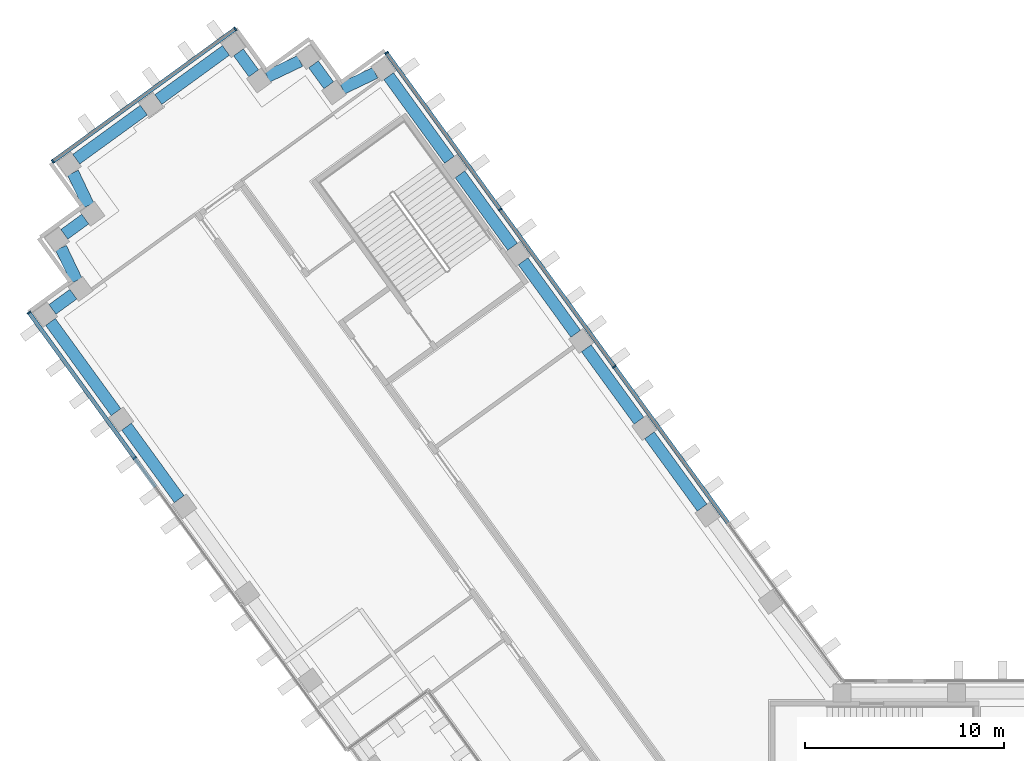
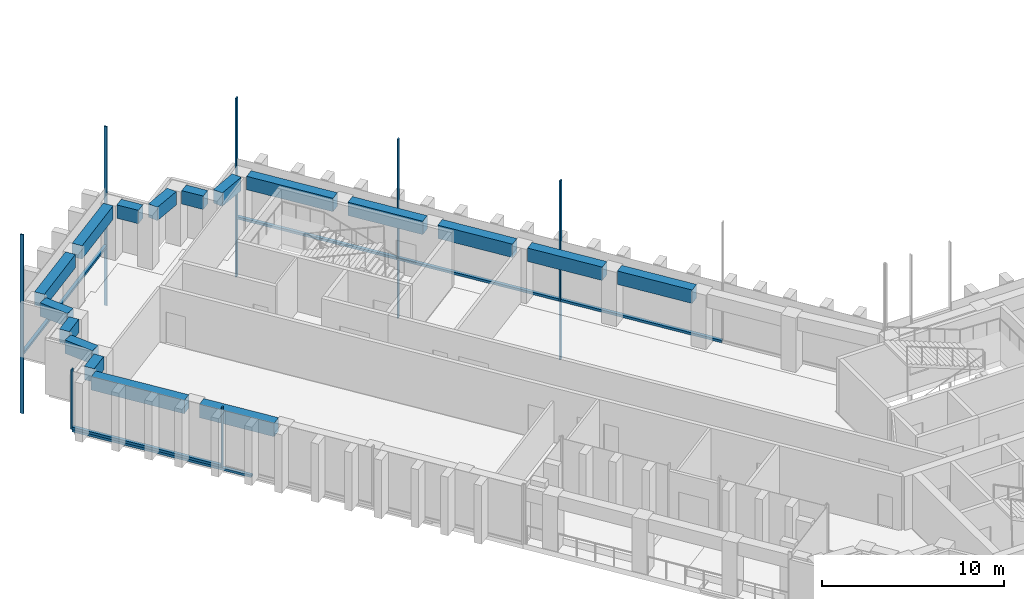
"""IFC4 building model written with IfcOpenShell, lengths in metres."""

from ifc_helpers import new_model, si_unit, direction, frame, origin, origin_2d, place, context, subcontext, project, spatial, rectangle, extrude, material, material_profile, profile_set, type_object, element, aggregate, save


model = new_model("IFC4")

# Units and contexts
model_context = context("Model", 3, precision=1e-05, world=origin(), true_north=direction((0.0, 1.0)))
body_context = subcontext(model_context, "Body", "Model", "MODEL_VIEW")
ifc_project = project(units=[si_unit("LENGTHUNIT", "METRE"), si_unit("AREAUNIT", "SQUARE_METRE"), si_unit("VOLUMEUNIT", "CUBIC_METRE"), si_unit("PLANEANGLEUNIT", "RADIAN"), si_unit("MASSUNIT", "GRAM", prefix="KILO")], contexts=[model_context])

# Site, building, storey
site_placement = place(None, origin())
site = spatial("IfcSite", under=ifc_project, at=site_placement, CompositionType="ELEMENT")
building_placement = place(site_placement, origin())
building = spatial("IfcBuilding", under=site, at=building_placement, Name="Quipu Civic Tower", CompositionType="ELEMENT")
storey_1_placement = place(building_placement, frame((0.0, 0.0, 59.0)))
storey_1 = spatial("IfcBuildingStorey", under=building, at=storey_1_placement, Name="L13", CompositionType="ELEMENT", Elevation=59.0)

# Curtain wall, members
ifc_material_1 = material(Name="Insulated glass unit", Category="glass")
curtain_wall_type = type_object("IfcCurtainWallType", Name="Office curtain wall CW1", PredefinedType="NOTDEFINED", material=ifc_material_1)
curtain_wall_1_placement = place(storey_1_placement, origin())
curtain_wall_1 = element("IfcCurtainWall", 1, at=curtain_wall_1_placement, inside=storey_1, type_object=curtain_wall_type, Name="Office curtain wall CW1 L13 run 1", PredefinedType="NOTDEFINED")
ifc_material_2 = material(Name="Anodised aluminium", Category="aluminium")
ifc_material_profile_1 = material_profile(ifc_material_2, rectangle(XDim=0.199951171875, YDim=0.080078125, at=origin_2d()), Name="RECT 200x80")
ifc_profile_set_1 = profile_set([ifc_material_profile_1], Name="Anodised aluminium")
member_type_1 = type_object("IfcMemberType", Name="Mullion CW1", PredefinedType="MULLION", material=ifc_profile_set_1)
member_1_placement = place(storey_1_placement, frame((-55.23046875, 29.606201171875, 0.080078125), z_axis=(0.0, 0.0, 1.0), x_axis=(0.809015484525, 0.587787330417, 0.0)))
member_1 = element("IfcMember", 2, at=member_1_placement, type_object=member_type_1, Name="CW1 mullion 1", PredefinedType="MULLION", context=body_context, shape_type="SweptSolid", body=[
    extrude(rectangle(XDim=0.199951171875, YDim=0.080078125, at=origin_2d()), origin(), (0.0, 0.0, 1.0), 4.0),
])
member_2_placement = place(storey_1_placement, frame((-49.9248046875, 22.303466796875, 0.080078125), z_axis=(0.0, 0.0, 1.0), x_axis=(0.809015484525, 0.587787330417, 0.0)))
member_2 = element("IfcMember", 3, at=member_2_placement, type_object=member_type_1, Name="CW1 mullion 2", PredefinedType="MULLION", context=body_context, shape_type="SweptSolid", body=[
    extrude(rectangle(XDim=0.199951171875, YDim=0.080078125, at=origin_2d()), origin(), (0.0, 0.0, 1.0), 4.0),
])

curtain_wall_2_placement = place(storey_1_placement, origin())
curtain_wall_2 = element("IfcCurtainWall", 4, at=curtain_wall_2_placement, inside=storey_1, type_object=curtain_wall_type, Name="Office curtain wall CW1 L12 run 10", PredefinedType="NOTDEFINED")
member_3_placement = place(storey_1_placement, frame((-25.819091796875, 26.893798828125, -3.919921875), z_axis=(0.0, 0.0, 1.0), x_axis=(-0.809016532822, -0.587785887566, 0.0)))
member_3 = element("IfcMember", 5, at=member_3_placement, type_object=member_type_1, Name="CW1 mullion 3", PredefinedType="MULLION", context=body_context, shape_type="SweptSolid", body=[
    extrude(rectangle(XDim=0.199951171875, YDim=0.080078125, at=origin_2d()), origin(), (0.0, 0.0, 1.0), 12.0),
])
member_4_placement = place(storey_1_placement, frame((-31.556396484375, 34.79052734375, -3.919921875), z_axis=(0.0, 0.0, 1.0), x_axis=(-0.809016532822, -0.587785887566, 0.0)))
member_4 = element("IfcMember", 6, at=member_4_placement, type_object=member_type_1, Name="CW1 mullion 4", PredefinedType="MULLION", context=body_context, shape_type="SweptSolid", body=[
    extrude(rectangle(XDim=0.199951171875, YDim=0.080078125, at=origin_2d()), origin(), (0.0, 0.0, 1.0), 12.0),
])
member_5_placement = place(storey_1_placement, frame((-37.2705078125, 42.655029296875, -3.919921875), z_axis=(0.0, 0.0, 1.0), x_axis=(-0.809016532822, -0.587785887566, 0.0)))
member_5 = element("IfcMember", 7, at=member_5_placement, type_object=member_type_1, Name="CW1 mullion 5", PredefinedType="MULLION", context=body_context, shape_type="SweptSolid", body=[
    extrude(rectangle(XDim=0.199951171875, YDim=0.080078125, at=origin_2d()), origin(), (0.0, 0.0, 1.0), 12.0),
])

curtain_wall_3_placement = place(storey_1_placement, origin())
curtain_wall_3 = element("IfcCurtainWall", 8, at=curtain_wall_3_placement, inside=storey_1, type_object=curtain_wall_type, Name="Office curtain wall CW1 L12 run 15", PredefinedType="NOTDEFINED")
member_6_placement = place(storey_1_placement, frame((-44.869140625, 43.858642578125, -3.919921875), z_axis=(0.0, 0.0, 1.0), x_axis=(0.587782012621, -0.809019348124, 0.0)))
member_6 = element("IfcMember", 9, at=member_6_placement, type_object=member_type_1, Name="CW1 mullion 1", PredefinedType="MULLION", context=body_context, shape_type="SweptSolid", body=[
    extrude(rectangle(XDim=0.199951171875, YDim=0.080078125, at=origin_2d()), origin(), (0.0, 0.0, 1.0), 12.0),
])
member_7_placement = place(storey_1_placement, frame((-54.027099609375, 37.204833984375, -3.919921875), z_axis=(0.0, 0.0, 1.0), x_axis=(0.587782012621, -0.809019348124, 0.0)))
member_7 = element("IfcMember", 10, at=member_7_placement, type_object=member_type_1, Name="CW1 mullion 2", PredefinedType="MULLION", context=body_context, shape_type="SweptSolid", body=[
    extrude(rectangle(XDim=0.199951171875, YDim=0.080078125, at=origin_2d()), origin(), (0.0, 0.0, 1.0), 12.0),
])

# Beams
ifc_material_3 = material(Name="Concrete C50/60", Category="concrete")
ifc_material_profile_2 = material_profile(ifc_material_3, rectangle(XDim=0.60009765625, YDim=0.89990234375, at=origin_2d()), Name="RC600x900")
ifc_profile_set_2 = profile_set([ifc_material_profile_2], Name="Concrete C50/60")
beam_type = type_object("IfcBeamType", Name="Spandrel beam RC 600x900 C50/60", PredefinedType="SPANDREL", material=ifc_profile_set_2)
for number, where, z_axis, x_axis, name in (
    (11, (-21.411865234375, 19.807861328125, 3.199951171875), (-0.587778073121, 0.809022210299, 0.0), (-0.809022210299, -0.587778073121, 0.0), "Spandrel beam L13 W-IN-02 to W-IN-03"),
    (12, (-24.585693359375, 24.1767578125, 3.199951171875), (-0.587778073121, 0.809022210299, 0.0), (-0.809022210299, -0.587778073121, 0.0), "Spandrel beam L13 W-IN-03 to W-IN-04"),
    (13, (-27.759765625, 28.545654296875, 3.199951171875), (-0.587742561851, 0.809048009076, 0.0), (-0.809048009076, -0.587742561851, 0.0), "Spandrel beam L13 W-IN-04 to W-IN-05"),
    (14, (-30.93359375, 32.914306640625, 3.199951171875), (-0.587716763865, 0.809066749701, 0.0), (-0.809066749701, -0.587716763865, 0.0), "Spandrel beam L13 W-IN-05 to W-IN-06"),
):
    element("IfcBeam", number, at=place(storey_1_placement, frame(where, z_axis=z_axis, x_axis=x_axis)), inside=storey_1, type_object=beam_type, Name=name, PredefinedType="SPANDREL", context=body_context, shape_type="SweptSolid", body=[
        extrude(rectangle(XDim=0.60009765625, YDim=0.89990234375, at=origin_2d()), origin(), (0.0, 0.0, 1.0), 4.5),
    ])
beam_1_placement = place(storey_1_placement, frame((-34.107421875, 37.283203125, 3.199951171875), z_axis=(-0.587732861365, 0.80905505602, 0.0), x_axis=(-0.80905505602, -0.587732861365, 0.0)))
element("IfcBeam", 15, at=beam_1_placement, inside=storey_1, type_object=beam_type, Name="Spandrel beam L13 W-IN-06 to T-Wi.0-W50", PredefinedType="SPANDREL", context=body_context, shape_type="SweptSolid", body=[
    extrude(rectangle(XDim=0.60009765625, YDim=0.89990234375, at=origin_2d()), origin(), (0.0, 0.0, 1.0), 5.194580078125),
])
beam_2_placement = place(storey_1_placement, frame((-37.837890625, 41.65283203125, 3.199951171875), z_axis=(-0.90245397739, -0.430786279601, 0.0), x_axis=(0.430786279601, -0.90245397739, 0.0)))
element("IfcBeam", 16, at=beam_2_placement, inside=storey_1, type_object=beam_type, Name="Spandrel beam L13 T-Wi.0-W50 to T-Wi.1-W50", PredefinedType="SPANDREL", context=body_context, shape_type="SweptSolid", body=[
    extrude(rectangle(XDim=0.60009765625, YDim=0.89990234375, at=origin_2d()), origin(), (0.0, 0.0, 1.0), 1.83349609375),
])
beam_3_placement = place(storey_1_placement, frame((-40.170166015625, 41.02978515625, 3.199951171875), z_axis=(-0.588461937499, 0.808524921146, 0.0), x_axis=(-0.808524921146, -0.588461937499, 0.0)))
element("IfcBeam", 17, at=beam_3_placement, inside=storey_1, type_object=beam_type, Name="Spandrel beam L13 T-Wi.1-W50 to T-Wi.2-W50", PredefinedType="SPANDREL", context=body_context, shape_type="SweptSolid", body=[
    extrude(rectangle(XDim=0.60009765625, YDim=0.89990234375, at=origin_2d()), origin(), (0.0, 0.0, 1.0), 1.30029296875),
])
beam_4_placement = place(storey_1_placement, frame((-41.613037109375, 42.248046875, 3.199951171875), z_axis=(-0.902613270121, -0.430452418511, 0.0), x_axis=(0.430452418511, -0.902613270121, 0.0)))
element("IfcBeam", 18, at=beam_4_placement, inside=storey_1, type_object=beam_type, Name="Spandrel beam L13 T-Wi.2-W50 to T-Wi.3-W50", PredefinedType="SPANDREL", context=body_context, shape_type="SweptSolid", body=[
    extrude(rectangle(XDim=0.60009765625, YDim=0.89990234375, at=origin_2d()), origin(), (0.0, 0.0, 1.0), 1.826416015625),
])
beam_5_placement = place(storey_1_placement, frame((-43.939453125, 41.628662109375, 3.199951171875), z_axis=(-0.588383572423, 0.808581951136, 0.0), x_axis=(-0.808581951136, -0.588383572423, 0.0)))
element("IfcBeam", 19, at=beam_5_placement, inside=storey_1, type_object=beam_type, Name="Spandrel beam L13 T-Wi.3-W50 to T-Wi.4-W50", PredefinedType="SPANDREL", context=body_context, shape_type="SweptSolid", body=[
    extrude(rectangle(XDim=0.60009765625, YDim=0.89990234375, at=origin_2d()), origin(), (0.0, 0.0, 1.0), 1.3017578125),
])
beam_6_placement = place(storey_1_placement, frame((-45.333984375, 42.780517578125, 3.199951171875), z_axis=(-0.808969789945, -0.58785021813, 0.0), x_axis=(0.58785021813, -0.808969789945, 0.0)))
element("IfcBeam", 20, at=beam_6_placement, inside=storey_1, type_object=beam_type, Name="Spandrel beam L13 T-Wi.4-W50 to TIP-W-01-W50", PredefinedType="SPANDREL", context=body_context, shape_type="SweptSolid", body=[
    extrude(rectangle(XDim=0.60009765625, YDim=0.89990234375, at=origin_2d()), origin(), (0.0, 0.0, 1.0), 4.199951171875),
])
beam_7_placement = place(storey_1_placement, frame((-49.459716796875, 39.782470703125, 3.199951171875), z_axis=(-0.808959834407, -0.587863918196, 0.0), x_axis=(0.587863918196, -0.808959834407, 0.0)))
element("IfcBeam", 21, at=beam_7_placement, inside=storey_1, type_object=beam_type, Name="Spandrel beam L13 TIP-W-01-W50 to T-Wo.0-W50", PredefinedType="SPANDREL", context=body_context, shape_type="SweptSolid", body=[
    extrude(rectangle(XDim=0.60009765625, YDim=0.89990234375, at=origin_2d()), origin(), (0.0, 0.0, 1.0), 4.1982421875),
])
beam_8_placement = place(storey_1_placement, frame((-53.023193359375, 36.63671875, 3.199951171875), z_axis=(0.430166558323, -0.902749540072, 0.0), x_axis=(0.902749540072, 0.430166558323, 0.0)))
element("IfcBeam", 22, at=beam_8_placement, inside=storey_1, type_object=beam_type, Name="Spandrel beam L13 T-Wo.0-W50 to T-Wo.1-W50", PredefinedType="SPANDREL", context=body_context, shape_type="SweptSolid", body=[
    extrude(rectangle(XDim=0.60009765625, YDim=0.89990234375, at=origin_2d()), origin(), (0.0, 0.0, 1.0), 1.830322265625),
])
beam_9_placement = place(storey_1_placement, frame((-52.40283203125, 34.306396484375, 3.199951171875), z_axis=(-0.808509099783, -0.588483674853, 0.0), x_axis=(0.588483674853, -0.808509099783, 0.0)))
element("IfcBeam", 23, at=beam_9_placement, inside=storey_1, type_object=beam_type, Name="Spandrel beam L13 T-Wo.1-W50 to T-Wo.2-W50", PredefinedType="SPANDREL", context=body_context, shape_type="SweptSolid", body=[
    extrude(rectangle(XDim=0.60009765625, YDim=0.89990234375, at=origin_2d()), origin(), (0.0, 0.0, 1.0), 1.302734375),
])
beam_10_placement = place(storey_1_placement, frame((-53.62255859375, 32.8623046875, 3.199951171875), z_axis=(0.431446050156, -0.902138739776, 0.0), x_axis=(0.902138739776, 0.431446050156, 0.0)))
element("IfcBeam", 24, at=beam_10_placement, inside=storey_1, type_object=beam_type, Name="Spandrel beam L13 T-Wo.2-W50 to T-Wo.3-W50", PredefinedType="SPANDREL", context=body_context, shape_type="SweptSolid", body=[
    extrude(rectangle(XDim=0.60009765625, YDim=0.89990234375, at=origin_2d()), origin(), (0.0, 0.0, 1.0), 1.828857421875),
])
beam_11_placement = place(storey_1_placement, frame((-53.0, 30.53466796875, 3.199951171875), z_axis=(-0.808549242423, -0.588428519514, 0.0), x_axis=(0.588428519514, -0.808549242423, 0.0)))
element("IfcBeam", 25, at=beam_11_placement, inside=storey_1, type_object=beam_type, Name="Spandrel beam L13 T-Wo.3-W50 to T-Wo.4-W50", PredefinedType="SPANDREL", context=body_context, shape_type="SweptSolid", body=[
    extrude(rectangle(XDim=0.60009765625, YDim=0.89990234375, at=origin_2d()), origin(), (0.0, 0.0, 1.0), 1.2998046875),
])
beam_12_placement = place(storey_1_placement, frame((-54.150390625, 29.140869140625, 3.199951171875), z_axis=(0.587772657145, -0.809026145135, 0.0), x_axis=(0.809026145135, 0.587772657145, 0.0)))
element("IfcBeam", 26, at=beam_12_placement, inside=storey_1, type_object=beam_type, Name="Spandrel beam L13 T-Wo.4-W50 to W-OUT-07", PredefinedType="SPANDREL", context=body_context, shape_type="SweptSolid", body=[
    extrude(rectangle(XDim=0.60009765625, YDim=0.89990234375, at=origin_2d()), origin(), (0.0, 0.0, 1.0), 5.603271484375),
])
beam_13_placement = place(storey_1_placement, frame((-50.327880859375, 23.87939453125, 3.199951171875), z_axis=(0.587778073121, -0.809022210299, 0.0), x_axis=(0.809022210299, 0.587778073121, 0.0)))
element("IfcBeam", 27, at=beam_13_placement, inside=storey_1, type_object=beam_type, Name="Spandrel beam L13 W-OUT-07 to W-OUT-06", PredefinedType="SPANDREL", context=body_context, shape_type="SweptSolid", body=[
    extrude(rectangle(XDim=0.60009765625, YDim=0.89990234375, at=origin_2d()), origin(), (0.0, 0.0, 1.0), 4.5),
])

# Storey
storey_2_placement = place(building_placement, frame((0.0, 0.0, 55.0)))
storey_2 = spatial("IfcBuildingStorey", under=building, at=storey_2_placement, Name="L12", CompositionType="ELEMENT", Elevation=55.0)

# Curtain wall, member
curtain_wall_4_placement = place(storey_2_placement, origin())
curtain_wall_4 = element("IfcCurtainWall", 28, at=curtain_wall_4_placement, inside=storey_2, type_object=curtain_wall_type, Name="Office curtain wall CW1 L12 run 1", PredefinedType="NOTDEFINED")
ifc_material_4 = material(Name="Anodised aluminium", Category="aluminium")
ifc_material_profile_3 = material_profile(ifc_material_4, rectangle(XDim=0.199951171875, YDim=0.159912109375, at=origin_2d()), Name="RECT 200x160")
ifc_profile_set_3 = profile_set([ifc_material_profile_3], Name="Anodised aluminium")
member_type_2 = type_object("IfcMemberType", Name="Transom CW1", PredefinedType="USERDEFINED", material=ifc_profile_set_3)
member_8_placement = place(storey_1_placement, frame((-55.20703125, 29.573974609375, 0.0), z_axis=(0.587791890205, -0.809012171608, 0.0), x_axis=(0.809012171608, 0.587791890205, 0.0)))
member_8 = element("IfcMember", 29, at=member_8_placement, inside=storey_1, type_object=member_type_2, Name="CW1 transom 1.2", ObjectType="TRANSOM", PredefinedType="USERDEFINED", context=body_context, shape_type="SweptSolid", body=[
    extrude(rectangle(XDim=0.199951171875, YDim=0.159912109375, at=origin_2d()), origin(), (0.0, 0.0, 1.0), 10.780029296875),
])
aggregate(curtain_wall_4, [member_8])

# Member
member_9_placement = place(storey_1_placement, frame((-55.20703125, 29.573974609375, 0.159912109375), z_axis=(0.587788711348, -0.809014481213, 0.0), x_axis=(0.809014481213, 0.587788711348, 0.0)))
member_9 = element("IfcMember", 30, at=member_9_placement, type_object=member_type_2, Name="CW1 transom 1.1", ObjectType="TRANSOM", PredefinedType="USERDEFINED", context=body_context, shape_type="SweptSolid", body=[
    extrude(rectangle(XDim=0.199951171875, YDim=0.159912109375, at=origin_2d()), origin(), (0.0, 0.0, 1.0), 8.94677734375),
])

aggregate(curtain_wall_1, [member_1, member_2, member_9])

member_10_placement = place(storey_1_placement, frame((-20.105224609375, 19.029296875, 0.080078125), z_axis=(-0.587793764301, 0.80901080997, 0.0), x_axis=(-0.80901080997, -0.587793764301, 0.0)))
member_10 = element("IfcMember", 31, at=member_10_placement, type_object=member_type_2, Name="CW1 transom 2.2", ObjectType="TRANSOM", PredefinedType="USERDEFINED", context=body_context, shape_type="SweptSolid", body=[
    extrude(rectangle(XDim=0.199951171875, YDim=0.159912109375, at=origin_2d()), origin(), (0.0, 0.0, 1.0), 9.680908203125),
])

member_11_placement = place(storey_1_placement, frame((-25.842529296875, 26.926025390625, 0.080078125), z_axis=(-0.58778177227, 0.809019522748, 0.0), x_axis=(-0.809019522748, -0.58778177227, 0.0)))
member_11 = element("IfcMember", 32, at=member_11_placement, type_object=member_type_2, Name="CW1 transom 3.2", ObjectType="TRANSOM", PredefinedType="USERDEFINED", context=body_context, shape_type="SweptSolid", body=[
    extrude(rectangle(XDim=0.199951171875, YDim=0.159912109375, at=origin_2d()), origin(), (0.0, 0.0, 1.0), 9.68115234375),
])

member_12_placement = place(storey_1_placement, frame((-31.580078125, 34.822998046875, 0.080078125), z_axis=(-0.587775627857, 0.809023986849, 0.0), x_axis=(-0.809023986849, -0.587775627857, 0.0)))
member_12 = element("IfcMember", 33, at=member_12_placement, type_object=member_type_2, Name="CW1 transom 4.2", ObjectType="TRANSOM", PredefinedType="USERDEFINED", context=body_context, shape_type="SweptSolid", body=[
    extrude(rectangle(XDim=0.199951171875, YDim=0.159912109375, at=origin_2d()), origin(), (0.0, 0.0, 1.0), 9.64111328125),
])

aggregate(curtain_wall_2, [member_3, member_4, member_5, member_10, member_11, member_12])

member_13_placement = place(storey_1_placement, frame((-44.9013671875, 43.8349609375, 0.080078125), z_axis=(-0.809032792449, -0.587763507495, 0.0), x_axis=(0.587763507495, -0.809032792449, 0.0)))
member_13 = element("IfcMember", 34, at=member_13_placement, type_object=member_type_2, Name="CW1 transom 1.2", ObjectType="TRANSOM", PredefinedType="USERDEFINED", context=body_context, shape_type="SweptSolid", body=[
    extrude(rectangle(XDim=0.199951171875, YDim=0.159912109375, at=origin_2d()), origin(), (0.0, 0.0, 1.0), 11.239990234375),
])

aggregate(curtain_wall_3, [member_6, member_7, member_13])

save(model, "model.ifc")
